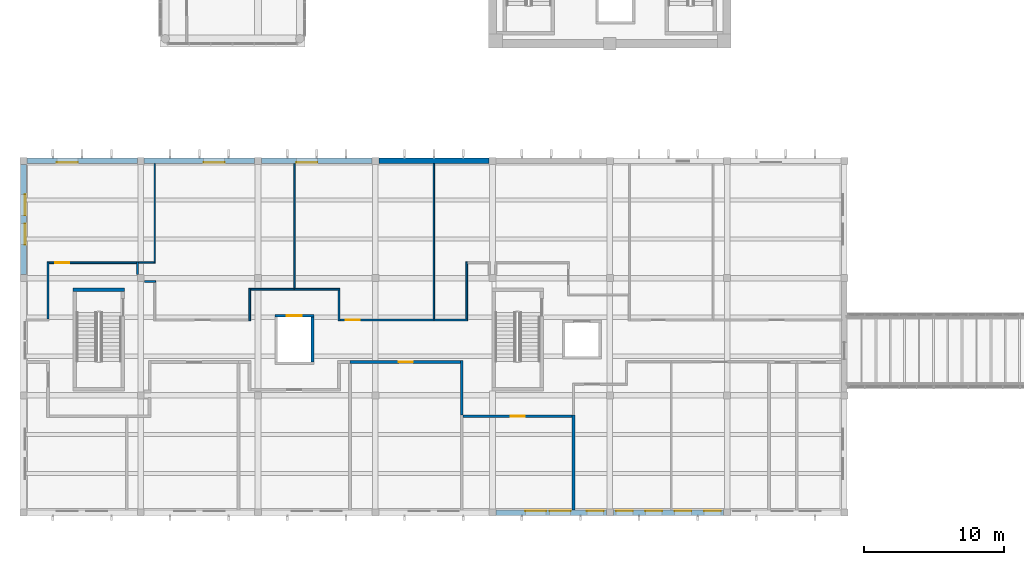
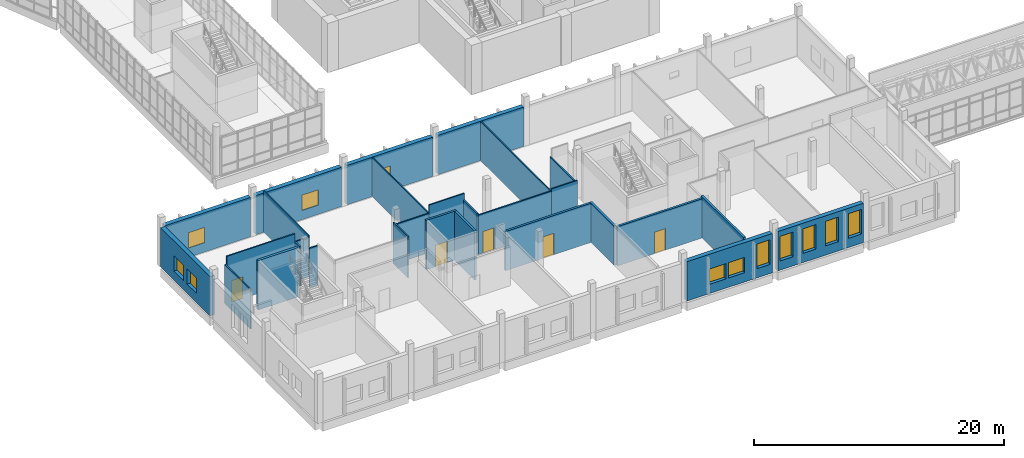
# One storey, part 58 of 119: 29 walls, 12 windows, 5 doors, 17 openings.
"""IFC4 building model written with IfcOpenShell, lengths in metres."""

from ifc_helpers import new_model, si_unit, direction, frame, frame_2d, origin, place, context, subcontext, project, spatial, rectangle, extrude, material, layer, layer_set, type_object, element, fill, save


model = new_model("IFC4")

# Units and contexts
model_context = context("Model", 3, precision=1e-05, world=origin(), true_north=direction((0.0, 1.0)))
body_context = subcontext(model_context, "Body", "Model", "MODEL_VIEW")
ifc_project = project(units=[si_unit("LENGTHUNIT", "METRE"), si_unit("AREAUNIT", "SQUARE_METRE"), si_unit("VOLUMEUNIT", "CUBIC_METRE"), si_unit("PLANEANGLEUNIT", "RADIAN"), si_unit("MASSUNIT", "GRAM", prefix="KILO")], contexts=[model_context])

# Site, building, storey
site_placement = place(None, origin())
site = spatial("IfcSite", under=ifc_project, at=site_placement, CompositionType="ELEMENT")
building_placement = place(site_placement, origin())
building = spatial("IfcBuilding", under=site, at=building_placement, Name="Larchfold Concert Hall", CompositionType="ELEMENT")
storey_placement = place(building_placement, frame((0.0, 0.0, 4.800048828125)))
storey = spatial("IfcBuildingStorey", under=building, at=storey_placement, Name="L01", CompositionType="ELEMENT", Elevation=4.800048828125)

# Wall
ifc_material_1 = material(Name="Plasterboard partition on steel studs", Category="steel")
ifc_layer_1 = layer(ifc_material_1, 0.199951171875)
ifc_layer_set_1 = layer_set([ifc_layer_1], Name="Plasterboard partition on steel studs")
wall_type_1 = type_object("IfcWallType", Name="Acoustic partition 200", PredefinedType="PARTITIONING", material=ifc_layer_set_1)
wall_1_placement = place(storey_placement, frame((40.0, 7.60009765625, 0.0), z_axis=(0.0, 0.0, 1.0), x_axis=(0.0, -1.0, 0.0)))
element("IfcWall", 1, at=wall_1_placement, inside=storey, type_object=wall_type_1, Name="Partition IW0095", PredefinedType="PARTITIONING", context=body_context, shape_type="SweptSolid", body=[
    extrude(rectangle(XDim=6.800048828125, YDim=0.199951171875, at=frame_2d((3.39990234375, 0.0))), origin(), (0.0, 0.0, 1.0), 4.039794921875),
])

# Wall, opening, door
wall_2_placement = place(storey_placement, frame((32.10009765625, 7.5, 0.0), z_axis=(0.0, 0.0, 1.0), x_axis=(1.0, 0.0, 0.0)))
wall_2 = element("IfcWall", 2, at=wall_2_placement, inside=storey, type_object=wall_type_1, Name="Partition IW0096", PredefinedType="PARTITIONING", context=body_context, shape_type="SweptSolid", body=[
    extrude(rectangle(XDim=7.7998046875, YDim=0.199951171875, at=frame_2d((3.89990234375, 0.0))), origin(), (0.0, 0.0, 1.0), 3.840087890625),
])
opening_1_placement = place(wall_2_placement, frame((3.409912109375, 0.0, 0.0)))
opening_1 = element("IfcOpeningElement", 3, at=opening_1_placement, cuts=wall_2, Name="Opening D-L01-144", PredefinedType="OPENING", context=body_context, shape_type="SweptSolid", body=[
    extrude(rectangle(XDim=1.0, YDim=2.10009765625, at=frame_2d((0.5, 1.050048828125))), frame((0.0, 0.10986328125, 0.0), z_axis=(0.0, -1.0, 0.0), x_axis=(1.0, 0.0, 0.0)), (0.0, 0.0, 1.0), 0.219970703125),
])
ifc_material_2 = material(Name="Timber door leaf", Category="wood")
door_type_1 = type_object("IfcDoorType", Name="Practice and studio door, acoustic 1000 x 2100 FD30S", OperationType="SINGLE_SWING_LEFT", PredefinedType="DOOR", material=ifc_material_2)
door_1_placement = place(opening_1_placement, origin())
door_1 = element("IfcDoor", 4, at=door_1_placement, inside=storey, type_object=door_type_1, Name="Door D-L01-144", OperationType="SINGLE_SWING_RIGHT", OverallHeight=2.10009765625, OverallWidth=1.0, PredefinedType="DOOR", context=body_context, shape_type="SweptSolid", body=[
    extrude(rectangle(XDim=1.0, YDim=2.10009765625, at=frame_2d((0.5, 1.050048828125))), frame((0.0, 0.02490234375, 0.0), z_axis=(0.0, -1.0, 0.0), x_axis=(1.0, 0.0, 0.0)), (0.0, 0.0, 1.0), 0.050048828125),
])
fill(opening_1, door_1)

# Wall
wall_3_placement = place(storey_placement, frame((32.0, 11.5, 0.0), z_axis=(0.0, 0.0, 1.0), x_axis=(0.0, -1.0, 0.0)))
element("IfcWall", 5, at=wall_3_placement, inside=storey, type_object=wall_type_1, Name="Partition IW0109", PredefinedType="PARTITIONING", context=body_context, shape_type="SweptSolid", body=[
    extrude(rectangle(XDim=3.89990234375, YDim=0.199951171875, at=frame_2d((1.949951171875, 0.0))), origin(), (0.0, 0.0, 1.0), 3.840087890625),
])

# Wall, opening, door
wall_4_placement = place(storey_placement, frame((24.0, 11.39990234375, 0.0), z_axis=(0.0, 0.0, 1.0), x_axis=(1.0, 0.0, 0.0)))
wall_4 = element("IfcWall", 6, at=wall_4_placement, inside=storey, type_object=wall_type_1, Name="Partition IW0110", PredefinedType="PARTITIONING", context=body_context, shape_type="SweptSolid", body=[
    extrude(rectangle(XDim=7.89990234375, YDim=0.199951171875, at=frame_2d((3.949951171875, 0.0))), origin(), (0.0, 0.0, 1.0), 3.840087890625),
])
opening_2_placement = place(wall_4_placement, frame((3.490478515625, 0.0, 0.0)))
opening_2 = element("IfcOpeningElement", 7, at=opening_2_placement, cuts=wall_4, Name="Opening D-L01-147", PredefinedType="OPENING", context=body_context, shape_type="SweptSolid", body=[
    extrude(rectangle(XDim=1.0, YDim=2.10009765625, at=frame_2d((0.5, 1.050048828125))), frame((0.0, 0.10986328125, 0.0), z_axis=(0.0, -1.0, 0.0), x_axis=(1.0, 0.0, 0.0)), (0.0, 0.0, 1.0), 0.219970703125),
])
door_2_placement = place(opening_2_placement, origin())
door_2 = element("IfcDoor", 8, at=door_2_placement, inside=storey, type_object=door_type_1, Name="Door D-L01-147", OperationType="SINGLE_SWING_LEFT", OverallHeight=2.10009765625, OverallWidth=1.0, PredefinedType="DOOR", context=body_context, shape_type="SweptSolid", body=[
    extrude(rectangle(XDim=1.0, YDim=2.10009765625, at=frame_2d((0.5, 1.050048828125))), frame((0.0, 0.02490234375, 0.0), z_axis=(0.0, -1.0, 0.0), x_axis=(1.0, 0.0, 0.0)), (0.0, 0.0, 1.0), 0.050048828125),
])
fill(opening_2, door_2)

# Walls
ifc_material_3 = material(Name="Plasterboard partition on steel studs", Category="steel")
ifc_layer_2 = layer(ifc_material_3, 0.125)
ifc_layer_set_2 = layer_set([ifc_layer_2], Name="Plasterboard partition on steel studs")
wall_type_2 = type_object("IfcWallType", Name="Corridor partition 125 EI 60", PredefinedType="PARTITIONING", material=ifc_layer_set_2)
wall_5_placement = place(storey_placement, frame((19.97998046875, 16.59912109375, 0.0), z_axis=(0.0, 0.0, 1.0), x_axis=(1.0, 0.0, 0.0)))
element("IfcWall", 9, at=wall_5_placement, inside=storey, type_object=wall_type_2, Name="Partition IW0119", PredefinedType="PARTITIONING", context=body_context, shape_type="SweptSolid", body=[
    extrude(rectangle(XDim=3.281494140625, YDim=0.125, at=frame_2d((1.640625, 0.0))), origin(), (0.0, 0.0, 1.0), 4.639892578125),
])
wall_6_placement = place(storey_placement, frame((23.198974609375, 16.53662109375, 0.0), z_axis=(0.0, 0.0, 1.0), x_axis=(0.000443852597, -0.999999901497, 0.0)))
element("IfcWall", 10, at=wall_6_placement, inside=storey, type_object=wall_type_2, Name="Partition IW0120", PredefinedType="PARTITIONING", context=body_context, shape_type="SweptSolid", body=[
    extrude(rectangle(XDim=2.2001953125, YDim=0.125, at=frame_2d((1.10009765625, 0.0))), origin(), (0.0, 0.0, 1.0), 4.039794921875),
])

# Wall, opening, door
wall_7_placement = place(storey_placement, frame((23.262451171875, 14.39892578125, 0.0), z_axis=(0.0, 0.0, 1.0), x_axis=(1.0, 0.0, 0.0)))
wall_7 = element("IfcWall", 11, at=wall_7_placement, inside=storey, type_object=wall_type_2, Name="Partition IW0121", PredefinedType="PARTITIONING", context=body_context, shape_type="SweptSolid", body=[
    extrude(rectangle(XDim=6.757568359375, YDim=0.125, at=frame_2d((3.37890625, 0.0))), origin(), (0.0, 0.0, 1.0), 3.840087890625),
])
opening_3_placement = place(wall_7_placement, frame((0.427978515625, 0.0, 0.0)))
opening_3 = element("IfcOpeningElement", 12, at=opening_3_placement, cuts=wall_7, Name="Opening D-L01-151", PredefinedType="OPENING", context=body_context, shape_type="SweptSolid", body=[
    extrude(rectangle(XDim=1.0, YDim=2.10009765625, at=frame_2d((0.5, 1.050048828125))), frame((0.0, 0.072509765625, 0.0), z_axis=(0.0, -1.0, 0.0), x_axis=(1.0, 0.0, 0.0)), (0.0, 0.0, 1.0), 0.14501953125),
])
ifc_material_4 = material(Name="Timber door leaf", Category="wood")
door_type_2 = type_object("IfcDoorType", Name="Room door 1000 x 2100 FD30S", OperationType="SINGLE_SWING_LEFT", PredefinedType="DOOR", material=ifc_material_4)
door_3_placement = place(opening_3_placement, origin())
door_3 = element("IfcDoor", 13, at=door_3_placement, inside=storey, type_object=door_type_2, Name="Door D-L01-151", OperationType="SINGLE_SWING_LEFT", OverallHeight=2.10009765625, OverallWidth=1.0, PredefinedType="DOOR", context=body_context, shape_type="SweptSolid", body=[
    extrude(rectangle(XDim=1.0, YDim=2.10009765625, at=frame_2d((0.5, 1.050048828125))), frame((0.0, 0.02490234375, 0.0), z_axis=(0.0, -1.0, 0.0), x_axis=(1.0, 0.0, 0.0)), (0.0, 0.0, 1.0), 0.050048828125),
])
fill(opening_3, door_3)

# Walls
wall_8_placement = place(storey_placement, frame((30.02001953125, 14.39892578125, 0.0), z_axis=(0.0, 0.0, 1.0), x_axis=(1.0, 0.0, 0.0)))
element("IfcWall", 14, at=wall_8_placement, inside=storey, type_object=wall_type_2, Name="Partition IW0124", PredefinedType="PARTITIONING", context=body_context, shape_type="SweptSolid", body=[
    extrude(rectangle(XDim=2.392578125, YDim=0.125, at=frame_2d((1.1962890625, 0.0))), origin(), (0.0, 0.0, 1.0), 4.039794921875),
])
wall_9_placement = place(storey_placement, frame((32.35009765625, 14.46142578125, 0.0), z_axis=(0.0, 0.0, 1.0), x_axis=(0.000238180296, 0.999999971635, 0.0)))
element("IfcWall", 15, at=wall_9_placement, inside=storey, type_object=wall_type_2, Name="Partition IW0125", PredefinedType="PARTITIONING", context=body_context, shape_type="SweptSolid", body=[
    extrude(rectangle(XDim=4.10009765625, YDim=0.125, at=frame_2d((2.050048828125, 0.0))), origin(), (0.0, 0.0, 1.0), 3.840087890625),
])
wall_10_placement = place(storey_placement, frame((16.800048828125, 14.33642578125, 0.0), z_axis=(0.0, 0.0, 1.0), x_axis=(0.000419991563, 0.999999911804, 0.0)))
element("IfcWall", 16, at=wall_10_placement, inside=storey, type_object=wall_type_2, Name="Partition IW0132", PredefinedType="PARTITIONING", context=body_context, shape_type="SweptSolid", body=[
    extrude(rectangle(XDim=2.3251953125, YDim=0.125, at=frame_2d((1.16259765625, 0.0))), origin(), (0.0, 0.0, 1.0), 4.039794921875),
])
wall_11_placement = place(storey_placement, frame((16.863525390625, 16.59912109375, 0.0), z_axis=(0.0, 0.0, 1.0), x_axis=(1.0, 0.0, 0.0)))
element("IfcWall", 17, at=wall_11_placement, inside=storey, type_object=wall_type_2, Name="Partition IW0133", PredefinedType="PARTITIONING", context=body_context, shape_type="SweptSolid", body=[
    extrude(rectangle(XDim=3.116455078125, YDim=0.125, at=frame_2d((1.55810546875, 0.0))), origin(), (0.0, 0.0, 1.0), 3.840087890625),
])
wall_12_placement = place(storey_placement, frame((8.759521484375, 18.5625, 0.0), z_axis=(0.0, 0.0, 1.0), x_axis=(0.007111417547, -0.999974713551, 0.0)))
element("IfcWall", 18, at=wall_12_placement, inside=storey, type_object=wall_type_2, Name="Partition IW0134", PredefinedType="PARTITIONING", context=body_context, shape_type="SweptSolid", body=[
    extrude(rectangle(XDim=0.892578125, YDim=0.125, at=frame_2d((0.4462890625, 0.0))), origin(), (0.0, 0.0, 1.0), 3.840087890625),
])
wall_13_placement = place(storey_placement, frame((9.27001953125, 17.160888671875, 0.0), z_axis=(0.0, 0.0, 1.0), x_axis=(0.999999240737, -0.001232284955, 0.0)))
element("IfcWall", 19, at=wall_13_placement, inside=storey, type_object=wall_type_2, Name="Partition IW0135", PredefinedType="PARTITIONING", context=body_context, shape_type="SweptSolid", body=[
    extrude(rectangle(XDim=0.79248046875, YDim=0.125, at=frame_2d((0.396240234375, 0.0))), origin(), (0.0, 0.0, 1.0), 3.840087890625),
])
wall_14_placement = place(storey_placement, frame((2.35107421875, 14.46240234375, 0.0), z_axis=(0.0, 0.0, 1.0), x_axis=(0.0, 1.0, 0.0)))
element("IfcWall", 20, at=wall_14_placement, inside=storey, type_object=wall_type_2, Name="Partition IW0139", PredefinedType="PARTITIONING", context=body_context, shape_type="SweptSolid", body=[
    extrude(rectangle(XDim=4.09912109375, YDim=0.125, at=frame_2d((2.049560546875, 0.0))), origin(), (0.0, 0.0, 1.0), 3.840087890625),
])

# Wall, opening, door
wall_15_placement = place(storey_placement, frame((2.41357421875, 18.4990234375, 0.0), z_axis=(0.0, 0.0, 1.0), x_axis=(0.999999987924, 0.000155406191, 0.0)))
wall_15 = element("IfcWall", 21, at=wall_15_placement, inside=storey, type_object=wall_type_2, Name="Partition IW0140", PredefinedType="PARTITIONING", context=body_context, shape_type="SweptSolid", body=[
    extrude(rectangle(XDim=6.283935546875, YDim=0.125, at=frame_2d((3.14208984375, 0.0))), origin(), (0.0, 0.0, 1.0), 4.639892578125),
])
opening_4_placement = place(wall_15_placement, frame((0.466552734375, 0.0, 0.0)))
opening_4 = element("IfcOpeningElement", 22, at=opening_4_placement, cuts=wall_15, Name="Opening D-L01-155", PredefinedType="OPENING", context=body_context, shape_type="SweptSolid", body=[
    extrude(rectangle(XDim=1.0, YDim=2.10009765625, at=frame_2d((0.5, 1.050048828125))), frame((0.0, 0.072509765625, 0.0), z_axis=(0.0, -1.0, 0.0), x_axis=(1.0, 0.0, 0.0)), (0.0, 0.0, 1.0), 0.14501953125),
])
door_4_placement = place(opening_4_placement, origin())
door_4 = element("IfcDoor", 23, at=door_4_placement, inside=storey, type_object=door_type_2, Name="Door D-L01-155", OperationType="SINGLE_SWING_LEFT", OverallHeight=2.10009765625, OverallWidth=1.0, PredefinedType="DOOR", context=body_context, shape_type="SweptSolid", body=[
    extrude(rectangle(XDim=1.0, YDim=2.10009765625, at=frame_2d((0.5, 1.050048828125))), frame((0.0, 0.02490234375, 0.0), z_axis=(0.0, -1.0, 0.0), x_axis=(1.0, 0.0, 0.0)), (0.0, 0.0, 1.0), 0.050048828125),
])
fill(opening_4, door_4)

# Wall
ifc_material_5 = material(Name="Larch cladding on mineral wool and CLT", Category="wood")
ifc_layer_3 = layer(ifc_material_5, 0.39990234375)
ifc_layer_set_3 = layer_set([ifc_layer_3], Name="Larch cladding on mineral wool and CLT")
wall_type_3 = type_object("IfcWallType", Name="Larch clad infill wall 400", PredefinedType="SOLIDWALL", material=ifc_layer_set_3)
wall_16_placement = place(storey_placement, frame((33.949951171875, 25.800048828125, 0.0), z_axis=(0.0, 0.0, 1.0), x_axis=(-1.0, 0.0, 0.0)))
element("IfcWall", 24, at=wall_16_placement, inside=storey, type_object=wall_type_3, Name="Infill wall W5020", PredefinedType="SOLIDWALL", context=body_context, shape_type="SweptSolid", body=[
    extrude(rectangle(XDim=7.89990234375, YDim=0.39990234375, at=frame_2d((3.949951171875, 0.0))), origin(), (0.0, 0.0, 1.0), 3.840087890625),
])

# Wall, opening, window
wall_17_placement = place(storey_placement, frame((25.550048828125, 25.800048828125, 0.0), z_axis=(0.0, 0.0, 1.0), x_axis=(-1.0, 0.0, 0.0)))
wall_17 = element("IfcWall", 25, at=wall_17_placement, inside=storey, type_object=wall_type_3, Name="Infill wall W5021", PredefinedType="SOLIDWALL", context=body_context, shape_type="SweptSolid", body=[
    extrude(rectangle(XDim=7.900146484375, YDim=0.39990234375, at=frame_2d((3.9501953125, 0.0))), origin(), (0.0, 0.0, 1.0), 3.840087890625),
])
opening_5_placement = place(wall_17_placement, frame((3.89990234375, 0.0, 0.89990234375)))
opening_5 = element("IfcOpeningElement", 26, at=opening_5_placement, cuts=wall_17, Name="Opening WN-L01-007", PredefinedType="OPENING", context=body_context, shape_type="SweptSolid", body=[
    extrude(rectangle(XDim=1.5, YDim=1.5, at=frame_2d((0.75, 0.75))), frame((0.0, 0.2099609375, 0.0), z_axis=(0.0, -1.0, 0.0), x_axis=(1.0, 0.0, 0.0)), (0.0, 0.0, 1.0), 0.419921875),
])
ifc_material_6 = material(Name="Anodised graphite aluminium frame with glass", Category="aluminium")
window_type_1 = type_object("IfcWindowType", Name="Studio window 1500x1500", PartitioningType="DOUBLE_PANEL_VERTICAL", PredefinedType="WINDOW", material=ifc_material_6)
window_1_placement = place(opening_5_placement, origin())
window_1 = element("IfcWindow", 27, at=window_1_placement, inside=storey, type_object=window_type_1, Name="Window WN-L01-007", OverallHeight=1.5, OverallWidth=1.5, PartitioningType="DOUBLE_PANEL_VERTICAL", PredefinedType="WINDOW", context=body_context, shape_type="SweptSolid", body=[
    extrude(rectangle(XDim=1.5, YDim=1.5, at=frame_2d((0.75, 0.75))), frame((0.0, 0.150146484375, 0.0), z_axis=(0.0, -1.0, 0.0), x_axis=(1.0, 0.0, 0.0)), (0.0, 0.0, 1.0), 0.06005859375),
])
fill(opening_5, window_1)

wall_18_placement = place(storey_placement, frame((17.14990234375, 25.800048828125, 0.0), z_axis=(0.0, 0.0, 1.0), x_axis=(-1.0, 0.0, 0.0)))
wall_18 = element("IfcWall", 28, at=wall_18_placement, inside=storey, type_object=wall_type_3, Name="Infill wall W5022", PredefinedType="SOLIDWALL", context=body_context, shape_type="SweptSolid", body=[
    extrude(rectangle(XDim=7.89990234375, YDim=0.39990234375, at=frame_2d((3.949951171875, 0.0))), origin(), (0.0, 0.0, 1.0), 3.840087890625),
])
opening_6_placement = place(wall_18_placement, frame((2.14990234375, 0.0, 0.89990234375)))
opening_6 = element("IfcOpeningElement", 29, at=opening_6_placement, cuts=wall_18, Name="Opening WN-L01-008", PredefinedType="OPENING", context=body_context, shape_type="SweptSolid", body=[
    extrude(rectangle(XDim=1.5, YDim=1.5, at=frame_2d((0.75, 0.75))), frame((0.0, 0.2099609375, 0.0), z_axis=(0.0, -1.0, 0.0), x_axis=(1.0, 0.0, 0.0)), (0.0, 0.0, 1.0), 0.419921875),
])
window_2_placement = place(opening_6_placement, origin())
window_2 = element("IfcWindow", 30, at=window_2_placement, inside=storey, type_object=window_type_1, Name="Window WN-L01-008", OverallHeight=1.5, OverallWidth=1.5, PartitioningType="DOUBLE_PANEL_VERTICAL", PredefinedType="WINDOW", context=body_context, shape_type="SweptSolid", body=[
    extrude(rectangle(XDim=1.5, YDim=1.5, at=frame_2d((0.75, 0.75))), frame((0.0, 0.150146484375, 0.0), z_axis=(0.0, -1.0, 0.0), x_axis=(1.0, 0.0, 0.0)), (0.0, 0.0, 1.0), 0.06005859375),
])
fill(opening_6, window_2)

wall_19_placement = place(storey_placement, frame((8.75, 25.800048828125, 0.0), z_axis=(0.0, 0.0, 1.0), x_axis=(-1.0, 0.0, 0.0)))
wall_19 = element("IfcWall", 31, at=wall_19_placement, inside=storey, type_object=wall_type_3, Name="Infill wall W5023", PredefinedType="SOLIDWALL", context=body_context, shape_type="SweptSolid", body=[
    extrude(rectangle(XDim=7.89990234375, YDim=0.39990234375, at=frame_2d((3.949951171875, 0.0))), origin(), (0.0, 0.0, 1.0), 3.840087890625),
])
opening_7_placement = place(wall_19_placement, frame((4.25, 0.0, 0.89990234375)))
opening_7 = element("IfcOpeningElement", 32, at=opening_7_placement, cuts=wall_19, Name="Opening WN-L01-009", PredefinedType="OPENING", context=body_context, shape_type="SweptSolid", body=[
    extrude(rectangle(XDim=1.5, YDim=1.5, at=frame_2d((0.75, 0.75))), frame((0.0, 0.2099609375, 0.0), z_axis=(0.0, -1.0, 0.0), x_axis=(1.0, 0.0, 0.0)), (0.0, 0.0, 1.0), 0.419921875),
])
window_3_placement = place(opening_7_placement, origin())
window_3 = element("IfcWindow", 33, at=window_3_placement, inside=storey, type_object=window_type_1, Name="Window WN-L01-009", OverallHeight=1.5, OverallWidth=1.5, PartitioningType="DOUBLE_PANEL_VERTICAL", PredefinedType="WINDOW", context=body_context, shape_type="SweptSolid", body=[
    extrude(rectangle(XDim=1.5, YDim=1.5, at=frame_2d((0.75, 0.75))), frame((0.0, 0.150146484375, 0.0), z_axis=(0.0, -1.0, 0.0), x_axis=(1.0, 0.0, 0.0)), (0.0, 0.0, 1.0), 0.06005859375),
])
fill(opening_7, window_3)

# Wall, openings, windows
wall_20_placement = place(storey_placement, frame((0.60009765625, 25.550048828125, 0.0), z_axis=(0.0, 0.0, 1.0), x_axis=(0.0, -1.0, 0.0)))
wall_20 = element("IfcWall", 34, at=wall_20_placement, inside=storey, type_object=wall_type_3, Name="Infill wall W5024", PredefinedType="SOLIDWALL", context=body_context, shape_type="SweptSolid", body=[
    extrude(rectangle(XDim=7.900146484375, YDim=0.39990234375, at=frame_2d((3.9501953125, 0.0))), origin(), (0.0, 0.0, 1.0), 3.840087890625),
])
opening_8_placement = place(wall_20_placement, frame((4.25, 0.0, 0.89990234375)))
opening_8 = element("IfcOpeningElement", 35, at=opening_8_placement, cuts=wall_20, Name="Opening WN-L01-010", PredefinedType="OPENING", context=body_context, shape_type="SweptSolid", body=[
    extrude(rectangle(XDim=1.5, YDim=1.5, at=frame_2d((0.75, 0.75))), frame((0.0, 0.2099609375, 0.0), z_axis=(0.0, -1.0, 0.0), x_axis=(1.0, 0.0, 0.0)), (0.0, 0.0, 1.0), 0.419921875),
])
opening_9_placement = place(wall_20_placement, frame((2.150146484375, 0.0, 0.89990234375)))
opening_9 = element("IfcOpeningElement", 36, at=opening_9_placement, cuts=wall_20, Name="Opening WN-L01-011", PredefinedType="OPENING", context=body_context, shape_type="SweptSolid", body=[
    extrude(rectangle(XDim=1.5, YDim=1.5, at=frame_2d((0.75, 0.75))), frame((0.0, 0.2099609375, 0.0), z_axis=(0.0, -1.0, 0.0), x_axis=(1.0, 0.0, 0.0)), (0.0, 0.0, 1.0), 0.419921875),
])
window_4_placement = place(opening_8_placement, origin())
window_4 = element("IfcWindow", 37, at=window_4_placement, inside=storey, type_object=window_type_1, Name="Window WN-L01-010", OverallHeight=1.5, OverallWidth=1.5, PartitioningType="DOUBLE_PANEL_VERTICAL", PredefinedType="WINDOW", context=body_context, shape_type="SweptSolid", body=[
    extrude(rectangle(XDim=1.5, YDim=1.5, at=frame_2d((0.75, 0.75))), frame((0.0, 0.150146484375, 0.0), z_axis=(0.0, -1.0, 0.0), x_axis=(1.0, 0.0, 0.0)), (0.0, 0.0, 1.0), 0.06005859375),
])
fill(opening_8, window_4)
window_5_placement = place(opening_9_placement, origin())
window_5 = element("IfcWindow", 38, at=window_5_placement, inside=storey, type_object=window_type_1, Name="Window WN-L01-011", OverallHeight=1.5, OverallWidth=1.5, PartitioningType="DOUBLE_PANEL_VERTICAL", PredefinedType="WINDOW", context=body_context, shape_type="SweptSolid", body=[
    extrude(rectangle(XDim=1.5, YDim=1.5, at=frame_2d((0.75, 0.75))), frame((0.0, 0.150146484375, 0.0), z_axis=(0.0, -1.0, 0.0), x_axis=(1.0, 0.0, 0.0)), (0.0, 0.0, 1.0), 0.06005859375),
])
fill(opening_9, window_5)

wall_21_placement = place(storey_placement, frame((34.449951171875, 0.60009765625, 0.0), z_axis=(0.0, 0.0, 1.0), x_axis=(1.0, 0.0, 0.0)))
wall_21 = element("IfcWall", 39, at=wall_21_placement, inside=storey, type_object=wall_type_3, Name="Infill wall W5031", PredefinedType="SOLIDWALL", context=body_context, shape_type="SweptSolid", body=[
    extrude(rectangle(XDim=7.900146484375, YDim=0.39990234375, at=frame_2d((3.9501953125, 0.0))), origin(), (0.0, 0.0, 1.0), 3.840087890625),
])
opening_10_placement = place(wall_21_placement, frame((2.094970703125, 0.0, 0.89990234375)))
opening_10 = element("IfcOpeningElement", 40, at=opening_10_placement, cuts=wall_21, Name="Opening WN-L01-024", PredefinedType="OPENING", context=body_context, shape_type="SweptSolid", body=[
    extrude(rectangle(XDim=1.5, YDim=1.5, at=frame_2d((0.75, 0.75))), frame((0.0, 0.2099609375, 0.0), z_axis=(0.0, -1.0, 0.0), x_axis=(1.0, 0.0, 0.0)), (0.0, 0.0, 1.0), 0.419921875),
])
opening_11_placement = place(wall_21_placement, frame((3.844970703125, 0.0, 0.89990234375)))
opening_11 = element("IfcOpeningElement", 41, at=opening_11_placement, cuts=wall_21, Name="Opening WN-L01-025", PredefinedType="OPENING", context=body_context, shape_type="SweptSolid", body=[
    extrude(rectangle(XDim=1.5, YDim=1.5, at=frame_2d((0.75, 0.75))), frame((0.0, 0.2099609375, 0.0), z_axis=(0.0, -1.0, 0.0), x_axis=(1.0, 0.0, 0.0)), (0.0, 0.0, 1.0), 0.419921875),
])
opening_12_placement = place(wall_21_placement, frame((6.5, 0.0, 0.89990234375)))
opening_12 = element("IfcOpeningElement", 42, at=opening_12_placement, cuts=wall_21, Name="Opening WN-L01-026", PredefinedType="OPENING", context=body_context, shape_type="SweptSolid", body=[
    extrude(rectangle(XDim=1.199951171875, YDim=2.39990234375, at=frame_2d((0.60009765625, 1.199951171875))), frame((0.0, 0.2099609375, 0.0), z_axis=(0.0, -1.0, 0.0), x_axis=(1.0, 0.0, 0.0)), (0.0, 0.0, 1.0), 0.419921875),
])
ifc_material_7 = material(Name="Anodised graphite aluminium frame with glass", Category="aluminium")
window_type_2 = type_object("IfcWindowType", Name="Slot window 1200x2400", PartitioningType="SINGLE_PANEL", PredefinedType="WINDOW", material=ifc_material_7)
window_6_placement = place(opening_12_placement, origin())
window_6 = element("IfcWindow", 43, at=window_6_placement, inside=storey, type_object=window_type_2, Name="Window WN-L01-026", OverallHeight=2.39990234375, OverallWidth=1.199951171875, PartitioningType="SINGLE_PANEL", PredefinedType="WINDOW", context=body_context, shape_type="SweptSolid", body=[
    extrude(rectangle(XDim=1.199951171875, YDim=2.39990234375, at=frame_2d((0.60009765625, 1.199951171875))), frame((0.0, 0.150146484375, 0.0), z_axis=(0.0, -1.0, 0.0), x_axis=(1.0, 0.0, 0.0)), (0.0, 0.0, 1.0), 0.06005859375),
])
fill(opening_12, window_6)
window_7_placement = place(opening_10_placement, origin())
window_7 = element("IfcWindow", 44, at=window_7_placement, inside=storey, type_object=window_type_1, Name="Window WN-L01-024", OverallHeight=1.5, OverallWidth=1.5, PartitioningType="DOUBLE_PANEL_VERTICAL", PredefinedType="WINDOW", context=body_context, shape_type="SweptSolid", body=[
    extrude(rectangle(XDim=1.5, YDim=1.5, at=frame_2d((0.75, 0.75))), frame((0.0, 0.150146484375, 0.0), z_axis=(0.0, -1.0, 0.0), x_axis=(1.0, 0.0, 0.0)), (0.0, 0.0, 1.0), 0.06005859375),
])
fill(opening_10, window_7)
window_8_placement = place(opening_11_placement, origin())
window_8 = element("IfcWindow", 45, at=window_8_placement, inside=storey, type_object=window_type_1, Name="Window WN-L01-025", OverallHeight=1.5, OverallWidth=1.5, PartitioningType="DOUBLE_PANEL_VERTICAL", PredefinedType="WINDOW", context=body_context, shape_type="SweptSolid", body=[
    extrude(rectangle(XDim=1.5, YDim=1.5, at=frame_2d((0.75, 0.75))), frame((0.0, 0.150146484375, 0.0), z_axis=(0.0, -1.0, 0.0), x_axis=(1.0, 0.0, 0.0)), (0.0, 0.0, 1.0), 0.06005859375),
])
fill(opening_11, window_8)

wall_22_placement = place(storey_placement, frame((42.85009765625, 0.60009765625, 0.0), z_axis=(0.0, 0.0, 1.0), x_axis=(1.0, 0.0, 0.0)))
wall_22 = element("IfcWall", 46, at=wall_22_placement, inside=storey, type_object=wall_type_3, Name="Infill wall W5032", PredefinedType="SOLIDWALL", context=body_context, shape_type="SweptSolid", body=[
    extrude(rectangle(XDim=7.89990234375, YDim=0.39990234375, at=frame_2d((3.949951171875, 0.0))), origin(), (0.0, 0.0, 1.0), 3.840087890625),
])
opening_13_placement = place(wall_22_placement, frame((0.199951171875, 0.0, 0.89990234375)))
opening_13 = element("IfcOpeningElement", 47, at=opening_13_placement, cuts=wall_22, Name="Opening WN-L01-027", PredefinedType="OPENING", context=body_context, shape_type="SweptSolid", body=[
    extrude(rectangle(XDim=1.199951171875, YDim=2.39990234375, at=frame_2d((0.60009765625, 1.199951171875))), frame((0.0, 0.2099609375, 0.0), z_axis=(0.0, -1.0, 0.0), x_axis=(1.0, 0.0, 0.0)), (0.0, 0.0, 1.0), 0.419921875),
])
opening_14_placement = place(wall_22_placement, frame((2.2998046875, 0.0, 0.89990234375)))
opening_14 = element("IfcOpeningElement", 48, at=opening_14_placement, cuts=wall_22, Name="Opening WN-L01-028", PredefinedType="OPENING", context=body_context, shape_type="SweptSolid", body=[
    extrude(rectangle(XDim=1.199951171875, YDim=2.39990234375, at=frame_2d((0.60009765625, 1.199951171875))), frame((0.0, 0.2099609375, 0.0), z_axis=(0.0, -1.0, 0.0), x_axis=(1.0, 0.0, 0.0)), (0.0, 0.0, 1.0), 0.419921875),
])
opening_15_placement = place(wall_22_placement, frame((4.39990234375, 0.0, 0.89990234375)))
opening_15 = element("IfcOpeningElement", 49, at=opening_15_placement, cuts=wall_22, Name="Opening WN-L01-029", PredefinedType="OPENING", context=body_context, shape_type="SweptSolid", body=[
    extrude(rectangle(XDim=1.199951171875, YDim=2.39990234375, at=frame_2d((0.60009765625, 1.199951171875))), frame((0.0, 0.2099609375, 0.0), z_axis=(0.0, -1.0, 0.0), x_axis=(1.0, 0.0, 0.0)), (0.0, 0.0, 1.0), 0.419921875),
])
opening_16_placement = place(wall_22_placement, frame((6.5, 0.0, 0.89990234375)))
opening_16 = element("IfcOpeningElement", 50, at=opening_16_placement, cuts=wall_22, Name="Opening WN-L01-030", PredefinedType="OPENING", context=body_context, shape_type="SweptSolid", body=[
    extrude(rectangle(XDim=1.199951171875, YDim=2.39990234375, at=frame_2d((0.60009765625, 1.199951171875))), frame((0.0, 0.2099609375, 0.0), z_axis=(0.0, -1.0, 0.0), x_axis=(1.0, 0.0, 0.0)), (0.0, 0.0, 1.0), 0.419921875),
])
window_9_placement = place(opening_13_placement, origin())
window_9 = element("IfcWindow", 51, at=window_9_placement, inside=storey, type_object=window_type_2, Name="Window WN-L01-027", OverallHeight=2.39990234375, OverallWidth=1.199951171875, PartitioningType="SINGLE_PANEL", PredefinedType="WINDOW", context=body_context, shape_type="SweptSolid", body=[
    extrude(rectangle(XDim=1.199951171875, YDim=2.39990234375, at=frame_2d((0.60009765625, 1.199951171875))), frame((0.0, 0.150146484375, 0.0), z_axis=(0.0, -1.0, 0.0), x_axis=(1.0, 0.0, 0.0)), (0.0, 0.0, 1.0), 0.06005859375),
])
fill(opening_13, window_9)
window_10_placement = place(opening_14_placement, origin())
window_10 = element("IfcWindow", 52, at=window_10_placement, inside=storey, type_object=window_type_2, Name="Window WN-L01-028", OverallHeight=2.39990234375, OverallWidth=1.199951171875, PartitioningType="SINGLE_PANEL", PredefinedType="WINDOW", context=body_context, shape_type="SweptSolid", body=[
    extrude(rectangle(XDim=1.199951171875, YDim=2.39990234375, at=frame_2d((0.60009765625, 1.199951171875))), frame((0.0, 0.150146484375, 0.0), z_axis=(0.0, -1.0, 0.0), x_axis=(1.0, 0.0, 0.0)), (0.0, 0.0, 1.0), 0.06005859375),
])
fill(opening_14, window_10)
window_11_placement = place(opening_15_placement, origin())
window_11 = element("IfcWindow", 53, at=window_11_placement, inside=storey, type_object=window_type_2, Name="Window WN-L01-029", OverallHeight=2.39990234375, OverallWidth=1.199951171875, PartitioningType="SINGLE_PANEL", PredefinedType="WINDOW", context=body_context, shape_type="SweptSolid", body=[
    extrude(rectangle(XDim=1.199951171875, YDim=2.39990234375, at=frame_2d((0.60009765625, 1.199951171875))), frame((0.0, 0.150146484375, 0.0), z_axis=(0.0, -1.0, 0.0), x_axis=(1.0, 0.0, 0.0)), (0.0, 0.0, 1.0), 0.06005859375),
])
fill(opening_15, window_11)
window_12_placement = place(opening_16_placement, origin())
window_12 = element("IfcWindow", 54, at=window_12_placement, inside=storey, type_object=window_type_2, Name="Window WN-L01-030", OverallHeight=2.39990234375, OverallWidth=1.199951171875, PartitioningType="SINGLE_PANEL", PredefinedType="WINDOW", context=body_context, shape_type="SweptSolid", body=[
    extrude(rectangle(XDim=1.199951171875, YDim=2.39990234375, at=frame_2d((0.60009765625, 1.199951171875))), frame((0.0, 0.150146484375, 0.0), z_axis=(0.0, -1.0, 0.0), x_axis=(1.0, 0.0, 0.0)), (0.0, 0.0, 1.0), 0.06005859375),
])
fill(opening_16, window_12)

# Walls
ifc_material_8 = material(Name="Plasterboard partition on steel studs", Category="steel")
ifc_layer_4 = layer(ifc_material_8, 0.10009765625)
ifc_layer_set_4 = layer_set([ifc_layer_4], Name="Plasterboard partition on steel studs")
wall_type_4 = type_object("IfcWallType", Name="Stud partition 100", PredefinedType="PARTITIONING", material=ifc_layer_set_4)
wall_23_placement = place(storey_placement, frame((30.0, 25.60009765625, 0.0), z_axis=(0.0, 0.0, 1.0), x_axis=(0.0, -1.0, 0.0)))
element("IfcWall", 55, at=wall_23_placement, inside=storey, type_object=wall_type_4, Name="Partition IW0142", PredefinedType="PARTITIONING", context=body_context, shape_type="SweptSolid", body=[
    extrude(rectangle(XDim=11.135009765625, YDim=0.10009765625, at=frame_2d((5.5673828125, 0.0))), origin(), (0.0, 0.0, 1.0), 3.840087890625),
])
wall_24_placement = place(storey_placement, frame((20.0, 16.6650390625, 0.0), z_axis=(0.0, 0.0, 1.0), x_axis=(0.0, 1.0, 0.0)))
element("IfcWall", 56, at=wall_24_placement, inside=storey, type_object=wall_type_4, Name="Partition IW0143", PredefinedType="PARTITIONING", context=body_context, shape_type="SweptSolid", body=[
    extrude(rectangle(XDim=8.93505859375, YDim=0.10009765625, at=frame_2d((4.467529296875, 0.0))), origin(), (0.0, 0.0, 1.0), 3.840087890625),
])
wall_25_placement = place(storey_placement, frame((10.0, 18.47998046875, 0.0), z_axis=(0.0, 0.0, 1.0), x_axis=(0.0, 1.0, 0.0)))
element("IfcWall", 57, at=wall_25_placement, inside=storey, type_object=wall_type_4, Name="Partition IW0146", PredefinedType="PARTITIONING", context=body_context, shape_type="SweptSolid", body=[
    extrude(rectangle(XDim=7.1201171875, YDim=0.10009765625, at=frame_2d((3.56005859375, 0.0))), origin(), (0.0, 0.0, 1.0), 4.039794921875),
])
wall_26_placement = place(storey_placement, frame((8.822998046875, 18.5244140625, 0.0), z_axis=(0.0, 0.0, 1.0), x_axis=(0.999988642667, 0.004765977066, 0.0)))
element("IfcWall", 58, at=wall_26_placement, inside=storey, type_object=wall_type_4, Name="Partition IW0147", PredefinedType="PARTITIONING", context=body_context, shape_type="SweptSolid", body=[
    extrude(rectangle(XDim=1.126953125, YDim=0.10009765625, at=frame_2d((0.5634765625, 0.0))), origin(), (0.0, 0.0, 1.0), 3.840087890625),
])

# Wall, opening, door
ifc_material_9 = material(Name="Concrete C40/50", Category="concrete")
ifc_layer_5 = layer(ifc_material_9, 0.199951171875)
ifc_layer_set_5 = layer_set([ifc_layer_5], Name="Concrete C40/50")
wall_type_5 = type_object("IfcWallType", Name="Wall RC 200 lift shaft", PredefinedType="SOLIDWALL", material=ifc_layer_set_5)
wall_27_placement = place(storey_placement, frame((18.60009765625, 14.699951171875, 0.0), z_axis=(0.0, 0.0, 1.0), x_axis=(1.0, 0.0, 0.0)))
wall_27 = element("IfcWall", 59, at=wall_27_placement, inside=storey, type_object=wall_type_5, Name="Wall W0181", PredefinedType="SOLIDWALL", context=body_context, shape_type="SweptSolid", body=[
    extrude(rectangle(XDim=2.7998046875, YDim=0.199951171875, at=frame_2d((1.39990234375, 0.0))), origin(), (0.0, 0.0, 1.0), 4.800048828125),
])
opening_17_placement = place(wall_27_placement, frame((0.849853515625, 0.0, 0.0)))
opening_17 = element("IfcOpeningElement", 60, at=opening_17_placement, cuts=wall_27, Name="Opening LD-LF10", PredefinedType="OPENING", context=body_context, shape_type="SweptSolid", body=[
    extrude(rectangle(XDim=1.10009765625, YDim=2.10009765625, at=frame_2d((0.550048828125, 1.050048828125))), frame((0.0, 0.10986328125, 0.0), z_axis=(0.0, -1.0, 0.0), x_axis=(1.0, 0.0, 0.0)), (0.0, 0.0, 1.0), 0.219970703125),
])
ifc_material_10 = material(Name="Stainless steel sliding leaves", Category="steel")
door_type_3 = type_object("IfcDoorType", Name="Lift landing door sliding 1100 x 2100", OperationType="SLIDING_TO_LEFT", PredefinedType="DOOR", material=ifc_material_10)
door_5_placement = place(opening_17_placement, origin())
door_5 = element("IfcDoor", 61, at=door_5_placement, inside=storey, type_object=door_type_3, Name="Lift landing door LF10", OperationType="SLIDING_TO_LEFT", OverallHeight=2.10009765625, OverallWidth=1.10009765625, PredefinedType="DOOR", context=body_context, shape_type="SweptSolid", body=[
    extrude(rectangle(XDim=1.10009765625, YDim=2.10009765625, at=frame_2d((0.550048828125, 1.050048828125))), frame((0.0, 0.02490234375, 0.0), z_axis=(0.0, -1.0, 0.0), x_axis=(1.0, 0.0, 0.0)), (0.0, 0.0, 1.0), 0.050048828125),
])
fill(opening_17, door_5)

# Walls
wall_28_placement = place(storey_placement, frame((21.2998046875, 11.39990234375, 0.0), z_axis=(0.0, 0.0, 1.0), x_axis=(0.0, 1.0, 0.0)))
element("IfcWall", 62, at=wall_28_placement, inside=storey, type_object=wall_type_5, Name="Wall W0183", PredefinedType="SOLIDWALL", context=body_context, shape_type="SweptSolid", body=[
    extrude(rectangle(XDim=3.2001953125, YDim=0.199951171875, at=frame_2d((1.60009765625, 0.0))), origin(), (0.0, 0.0, 1.0), 4.800048828125),
])
ifc_material_11 = material(Name="Concrete C40/50", Category="concrete")
ifc_layer_6 = layer(ifc_material_11, 0.25)
ifc_layer_set_6 = layer_set([ifc_layer_6], Name="Concrete C40/50")
wall_type_6 = type_object("IfcWallType", Name="Wall RC 250 stair core", PredefinedType="SOLIDWALL", material=ifc_layer_set_6)
wall_29_placement = place(storey_placement, frame((4.14990234375, 16.574951171875, 0.0), z_axis=(0.0, 0.0, 1.0), x_axis=(1.0, 0.0, 0.0)))
element("IfcWall", 63, at=wall_29_placement, inside=storey, type_object=wall_type_6, Name="Wall W0113", PredefinedType="SOLIDWALL", context=body_context, shape_type="SweptSolid", body=[
    extrude(rectangle(XDim=3.7001953125, YDim=0.25, at=frame_2d((1.85009765625, 0.0))), origin(), (0.0, 0.0, 1.0), 4.800048828125),
])

save(model, "model.ifc")
